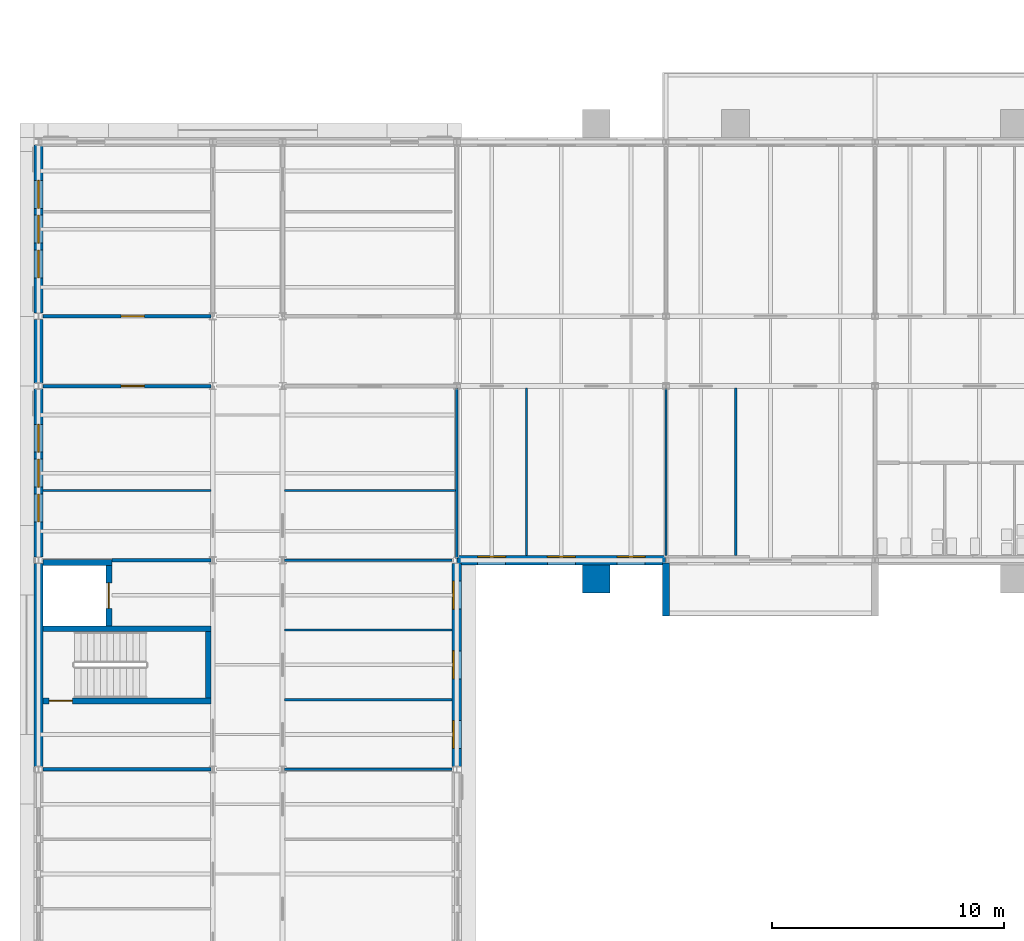
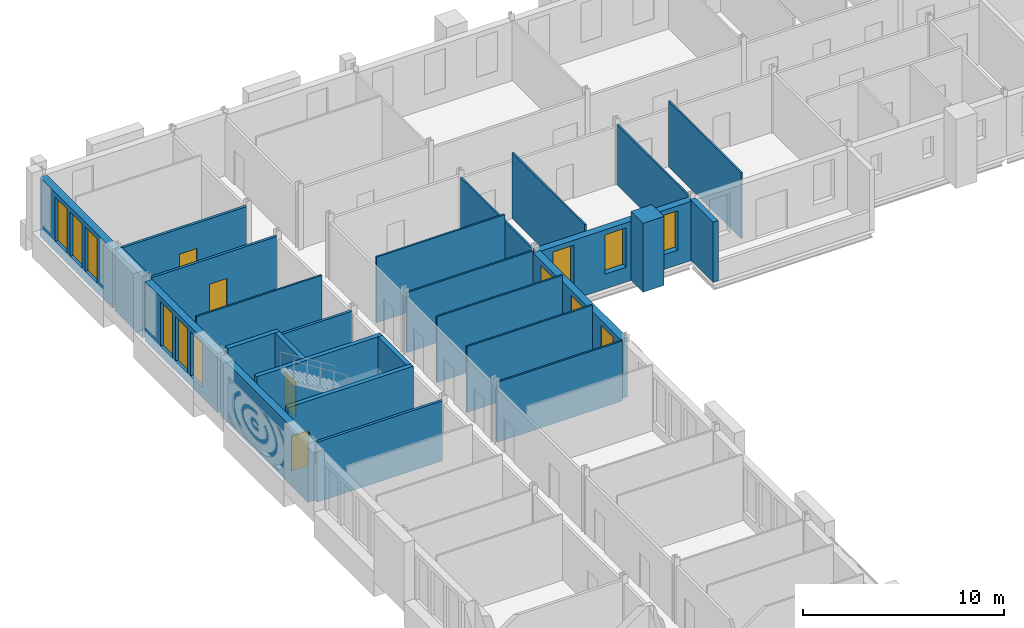
# One storey, part 110 of 154: 27 walls, 12 windows, 4 doors, 16 openings.
"""IFC4 building model written with IfcOpenShell, lengths in metres."""

from ifc_helpers import new_model, si_unit, direction, frame, frame_2d, origin, place, context, subcontext, project, spatial, rectangle, extrude, material, layer, layer_set, type_object, element, fill, save


model = new_model("IFC4")

# Units and contexts
model_context = context("Model", 3, precision=1e-05, world=origin(), true_north=direction((0.0, 1.0)))
body_context = subcontext(model_context, "Body", "Model", "MODEL_VIEW")
ifc_project = project(units=[si_unit("LENGTHUNIT", "METRE"), si_unit("AREAUNIT", "SQUARE_METRE"), si_unit("VOLUMEUNIT", "CUBIC_METRE"), si_unit("PLANEANGLEUNIT", "RADIAN"), si_unit("MASSUNIT", "GRAM", prefix="KILO")], contexts=[model_context])

# Site, building, storey
site_placement = place(None, origin())
site = spatial("IfcSite", under=ifc_project, at=site_placement, CompositionType="ELEMENT")
building_placement = place(site_placement, origin())
building = spatial("IfcBuilding", under=site, at=building_placement, Name="Golden Quay Civic Hall", CompositionType="ELEMENT")
storey_placement = place(building_placement, frame((0.0, 0.0, 14.39990234375)))
storey = spatial("IfcBuildingStorey", under=building, at=storey_placement, Name="L03", CompositionType="ELEMENT", Elevation=14.39990234375)

# Wall, openings, windows
ifc_material_1 = material(Name="Brick, dark clay facing", Category="masonry")
ifc_layer_1 = layer(ifc_material_1, 0.39990234375)
ifc_layer_set_1 = layer_set([ifc_layer_1], Name="Brick external wall 400")
wall_type_1 = type_object("IfcWallType", Name="Brick external wall 400", PredefinedType="STANDARD", material=ifc_layer_set_1)
wall_1_placement = place(storey_placement, frame((18.0, 62.864990234375, 0.0), z_axis=(0.0, 0.0, 1.0), x_axis=(0.0, -1.0, 0.0)))
wall_1 = element("IfcWall", 1, at=wall_1_placement, inside=storey, type_object=wall_type_1, Name="Brick external wall 400 L03 1", PredefinedType="STANDARD", context=body_context, shape_type="SweptSolid", body=[
    extrude(rectangle(XDim=8.72998046875, YDim=0.39990234375, at=frame_2d((4.364990234375, 0.0))), origin(), (0.0, 0.0, 1.0), 3.60009765625),
])
opening_1_placement = place(wall_1_placement, frame((6.764892578125, 0.0, 0.89990234375)))
opening_1 = element("IfcOpeningElement", 2, at=opening_1_placement, cuts=wall_1, Name="Opening WN7", PredefinedType="OPENING", context=body_context, shape_type="SweptSolid", body=[
    extrude(rectangle(XDim=1.199951171875, YDim=2.39990234375, at=frame_2d((0.60009765625, 1.199951171875))), frame((0.0, 0.2099609375, 0.0), z_axis=(0.0, -1.0, 0.0), x_axis=(1.0, 0.0, 0.0)), (0.0, 0.0, 1.0), 0.419921875),
])
opening_2_placement = place(wall_1_placement, frame((3.764892578125, 0.0, 0.89990234375)))
opening_2 = element("IfcOpeningElement", 3, at=opening_2_placement, cuts=wall_1, Name="Opening WN7", PredefinedType="OPENING", context=body_context, shape_type="SweptSolid", body=[
    extrude(rectangle(XDim=1.199951171875, YDim=2.39990234375, at=frame_2d((0.60009765625, 1.199951171875))), frame((0.0, 0.2099609375, 0.0), z_axis=(0.0, -1.0, 0.0), x_axis=(1.0, 0.0, 0.0)), (0.0, 0.0, 1.0), 0.419921875),
])
opening_3_placement = place(wall_1_placement, frame((0.764892578125, 0.0, 0.89990234375)))
opening_3 = element("IfcOpeningElement", 4, at=opening_3_placement, cuts=wall_1, Name="Opening WN7", PredefinedType="OPENING", context=body_context, shape_type="SweptSolid", body=[
    extrude(rectangle(XDim=1.199951171875, YDim=2.39990234375, at=frame_2d((0.60009765625, 1.199951171875))), frame((0.0, 0.2099609375, 0.0), z_axis=(0.0, -1.0, 0.0), x_axis=(1.0, 0.0, 0.0)), (0.0, 0.0, 1.0), 0.419921875),
])
ifc_material_2 = material(Name="Aluminium frame, double glazed", Category="aluminium")
window_type_1 = type_object("IfcWindowType", Name="Window 1200 x 2400", PartitioningType="SINGLE_PANEL", PredefinedType="WINDOW", material=ifc_material_2)
window_1_placement = place(opening_1_placement, origin())
window_1 = element("IfcWindow", 5, at=window_1_placement, inside=storey, type_object=window_type_1, Name="Window 1200 x 2400 L03 1", OverallHeight=2.39990234375, OverallWidth=1.199951171875, PartitioningType="SINGLE_PANEL", PredefinedType="WINDOW", context=body_context, shape_type="SweptSolid", body=[
    extrude(rectangle(XDim=1.199951171875, YDim=2.39990234375, at=frame_2d((0.60009765625, 1.199951171875))), frame((0.0, -0.119873046875, 0.0), z_axis=(0.0, -1.0, 0.0), x_axis=(1.0, 0.0, 0.0)), (0.0, 0.0, 1.0), 0.06005859375),
])
fill(opening_1, window_1)
window_2_placement = place(opening_2_placement, origin())
window_2 = element("IfcWindow", 6, at=window_2_placement, inside=storey, type_object=window_type_1, Name="Window 1200 x 2400 L03 2", OverallHeight=2.39990234375, OverallWidth=1.199951171875, PartitioningType="SINGLE_PANEL", PredefinedType="WINDOW", context=body_context, shape_type="SweptSolid", body=[
    extrude(rectangle(XDim=1.199951171875, YDim=2.39990234375, at=frame_2d((0.60009765625, 1.199951171875))), frame((0.0, -0.119873046875, 0.0), z_axis=(0.0, -1.0, 0.0), x_axis=(1.0, 0.0, 0.0)), (0.0, 0.0, 1.0), 0.06005859375),
])
fill(opening_2, window_2)
window_3_placement = place(opening_3_placement, origin())
window_3 = element("IfcWindow", 7, at=window_3_placement, inside=storey, type_object=window_type_1, Name="Window 1200 x 2400 L03 3", OverallHeight=2.39990234375, OverallWidth=1.199951171875, PartitioningType="SINGLE_PANEL", PredefinedType="WINDOW", context=body_context, shape_type="SweptSolid", body=[
    extrude(rectangle(XDim=1.199951171875, YDim=2.39990234375, at=frame_2d((0.60009765625, 1.199951171875))), frame((0.0, -0.119873046875, 0.0), z_axis=(0.0, -1.0, 0.0), x_axis=(1.0, 0.0, 0.0)), (0.0, 0.0, 1.0), 0.06005859375),
])
fill(opening_3, window_3)

wall_2_placement = place(storey_placement, frame((26.9912109375, 63.0, 0.0), z_axis=(0.0, 0.0, 1.0), x_axis=(-1.0, 0.0, 0.0)))
wall_2 = element("IfcWall", 8, at=wall_2_placement, inside=storey, type_object=wall_type_1, Name="Brick external wall 400 L03 8", PredefinedType="STANDARD", context=body_context, shape_type="SweptSolid", body=[
    extrude(rectangle(XDim=8.982177734375, YDim=0.39990234375, at=frame_2d((4.4912109375, 0.0))), origin(), (0.0, 0.0, 1.0), 3.60009765625),
])
opening_4_placement = place(wall_2_placement, frame((6.891357421875, 0.0, 0.89990234375)))
opening_4 = element("IfcOpeningElement", 9, at=opening_4_placement, cuts=wall_2, Name="Opening WN7", PredefinedType="OPENING", context=body_context, shape_type="SweptSolid", body=[
    extrude(rectangle(XDim=1.199951171875, YDim=2.39990234375, at=frame_2d((0.60009765625, 1.199951171875))), frame((0.0, 0.2099609375, 0.0), z_axis=(0.0, -1.0, 0.0), x_axis=(1.0, 0.0, 0.0)), (0.0, 0.0, 1.0), 0.419921875),
])
opening_5_placement = place(wall_2_placement, frame((3.891357421875, 0.0, 0.89990234375)))
opening_5 = element("IfcOpeningElement", 10, at=opening_5_placement, cuts=wall_2, Name="Opening WN7", PredefinedType="OPENING", context=body_context, shape_type="SweptSolid", body=[
    extrude(rectangle(XDim=1.199951171875, YDim=2.39990234375, at=frame_2d((0.60009765625, 1.199951171875))), frame((0.0, 0.2099609375, 0.0), z_axis=(0.0, -1.0, 0.0), x_axis=(1.0, 0.0, 0.0)), (0.0, 0.0, 1.0), 0.419921875),
])
opening_6_placement = place(wall_2_placement, frame((0.891357421875, 0.0, 0.89990234375)))
opening_6 = element("IfcOpeningElement", 11, at=opening_6_placement, cuts=wall_2, Name="Opening WN7", PredefinedType="OPENING", context=body_context, shape_type="SweptSolid", body=[
    extrude(rectangle(XDim=1.199951171875, YDim=2.39990234375, at=frame_2d((0.60009765625, 1.199951171875))), frame((0.0, 0.2099609375, 0.0), z_axis=(0.0, -1.0, 0.0), x_axis=(1.0, 0.0, 0.0)), (0.0, 0.0, 1.0), 0.419921875),
])
window_4_placement = place(opening_4_placement, origin())
window_4 = element("IfcWindow", 12, at=window_4_placement, inside=storey, type_object=window_type_1, Name="Window 1200 x 2400 L03 18", OverallHeight=2.39990234375, OverallWidth=1.199951171875, PartitioningType="SINGLE_PANEL", PredefinedType="WINDOW", context=body_context, shape_type="SweptSolid", body=[
    extrude(rectangle(XDim=1.199951171875, YDim=2.39990234375, at=frame_2d((0.60009765625, 1.199951171875))), frame((0.0, -0.119873046875, 0.0), z_axis=(0.0, -1.0, 0.0), x_axis=(1.0, 0.0, 0.0)), (0.0, 0.0, 1.0), 0.06005859375),
])
fill(opening_4, window_4)
window_5_placement = place(opening_5_placement, origin())
window_5 = element("IfcWindow", 13, at=window_5_placement, inside=storey, type_object=window_type_1, Name="Window 1200 x 2400 L03 19", OverallHeight=2.39990234375, OverallWidth=1.199951171875, PartitioningType="SINGLE_PANEL", PredefinedType="WINDOW", context=body_context, shape_type="SweptSolid", body=[
    extrude(rectangle(XDim=1.199951171875, YDim=2.39990234375, at=frame_2d((0.60009765625, 1.199951171875))), frame((0.0, -0.119873046875, 0.0), z_axis=(0.0, -1.0, 0.0), x_axis=(1.0, 0.0, 0.0)), (0.0, 0.0, 1.0), 0.06005859375),
])
fill(opening_5, window_5)
window_6_placement = place(opening_6_placement, origin())
window_6 = element("IfcWindow", 14, at=window_6_placement, inside=storey, type_object=window_type_1, Name="Window 1200 x 2400 L03 20", OverallHeight=2.39990234375, OverallWidth=1.199951171875, PartitioningType="SINGLE_PANEL", PredefinedType="WINDOW", context=body_context, shape_type="SweptSolid", body=[
    extrude(rectangle(XDim=1.199951171875, YDim=2.39990234375, at=frame_2d((0.60009765625, 1.199951171875))), frame((0.0, -0.119873046875, 0.0), z_axis=(0.0, -1.0, 0.0), x_axis=(1.0, 0.0, 0.0)), (0.0, 0.0, 1.0), 0.06005859375),
])
fill(opening_6, window_6)

# Walls
ifc_material_3 = material(Name="Brick, dark clay facing", Category="masonry")
ifc_layer_2 = layer(ifc_material_3, 0.300048828125)
ifc_layer_set_2 = layer_set([ifc_layer_2], Name="Brick loggia wall 300")
wall_type_2 = type_object("IfcWallType", Name="Brick loggia wall 300", PredefinedType="STANDARD", material=ifc_layer_set_2)
wall_3_placement = place(storey_placement, frame((27.0, 62.885009765625, 0.0), z_axis=(0.0, 0.0, 1.0), x_axis=(0.0, -1.0, 0.0)))
element("IfcWall", 15, at=wall_3_placement, inside=storey, type_object=wall_type_2, Name="Brick loggia wall 300 L03 1", PredefinedType="STANDARD", context=body_context, shape_type="SweptSolid", body=[
    extrude(rectangle(XDim=2.284912109375, YDim=0.300048828125, at=frame_2d((1.142578125, 0.0))), origin(), (0.0, 0.0, 1.0), 3.670166015625),
])
ifc_material_4 = material(Name="Brick, dark clay facing", Category="masonry")
ifc_layer_3 = layer(ifc_material_4, 1.199951171875)
ifc_layer_set_3 = layer_set([ifc_layer_3], Name="Brick pilaster 1200 x 1200")
wall_type_3 = type_object("IfcWallType", Name="Brick pilaster 1200 x 1200", PredefinedType="STANDARD", material=ifc_layer_set_3)
wall_4_placement = place(storey_placement, frame((23.39990234375, 62.199951171875, 0.0), z_axis=(0.0, 0.0, 1.0), x_axis=(1.0, 0.0, 0.0)))
element("IfcWall", 16, at=wall_4_placement, inside=storey, type_object=wall_type_3, Name="Brick pilaster 1200 x 1200 L03 6", PredefinedType="STANDARD", context=body_context, shape_type="SweptSolid", body=[
    extrude(rectangle(XDim=1.2001953125, YDim=1.199951171875, at=frame_2d((0.60009765625, 0.0))), origin(), (0.0, 0.0, 1.0), 4.2001953125),
])

# Wall, opening, door
ifc_material_5 = material(Name="Concrete C40/50", Category="concrete")
ifc_layer_4 = layer(ifc_material_5, 0.25)
ifc_layer_set_4 = layer_set([ifc_layer_4], Name="Concrete core wall 250, Concrete C40/50")
wall_type_4 = type_object("IfcWallType", Name="Concrete core wall 250", PredefinedType="SHEAR", material=ifc_layer_set_4)
wall_5_placement = place(storey_placement, frame((0.199951171875, 56.949951171875, 0.0), z_axis=(0.0, 0.0, 1.0), x_axis=(1.0, 0.0, 0.0)))
wall_5 = element("IfcWall", 17, at=wall_5_placement, inside=storey, type_object=wall_type_4, Name="Core wall WO-N-W1", PredefinedType="SHEAR", context=body_context, shape_type="SweptSolid", body=[
    extrude(rectangle(XDim=7.22509765625, YDim=0.25, at=frame_2d((3.612548828125, 0.0))), origin(), (0.0, 0.0, 1.0), 4.0),
])
opening_7_placement = place(wall_5_placement, frame((0.25, 0.0, 0.0)))
opening_7 = element("IfcOpeningElement", 18, at=opening_7_placement, cuts=wall_5, Name="Opening L03-D039", PredefinedType="OPENING", context=body_context, shape_type="SweptSolid", body=[
    extrude(rectangle(XDim=1.0, YDim=2.10009765625, at=frame_2d((0.5, 1.050048828125))), frame((0.0, 0.135009765625, 0.0), z_axis=(0.0, -1.0, 0.0), x_axis=(1.0, 0.0, 0.0)), (0.0, 0.0, 1.0), 0.27001953125),
])
ifc_material_6 = material(Name="Steel", Category="steel")
door_type_1 = type_object("IfcDoorType", Name="Steel fire door FD60 1000 x 2100", OperationType="SINGLE_SWING_LEFT", PredefinedType="DOOR", material=ifc_material_6)
door_1_placement = place(opening_7_placement, origin())
door_1 = element("IfcDoor", 19, at=door_1_placement, inside=storey, type_object=door_type_1, Name="Door L03-D039", OperationType="SINGLE_SWING_LEFT", OverallHeight=2.10009765625, OverallWidth=1.0, PredefinedType="DOOR", context=body_context, shape_type="SweptSolid", body=[
    extrude(rectangle(XDim=1.0, YDim=2.10009765625, at=frame_2d((0.5, 1.050048828125))), frame((0.0, 0.02490234375, 0.0), z_axis=(0.0, -1.0, 0.0), x_axis=(1.0, 0.0, 0.0)), (0.0, 0.0, 1.0), 0.050048828125),
])
fill(opening_7, door_1)

# Walls
wall_6_placement = place(storey_placement, frame((0.199951171875, 60.050048828125, 0.0), z_axis=(0.0, 0.0, 1.0), x_axis=(1.0, 0.0, 0.0)))
element("IfcWall", 20, at=wall_6_placement, inside=storey, type_object=wall_type_4, Name="Core wall WO-N-W2", PredefinedType="SHEAR", context=body_context, shape_type="SweptSolid", body=[
    extrude(rectangle(XDim=7.22509765625, YDim=0.25, at=frame_2d((3.612548828125, 0.0))), origin(), (0.0, 0.0, 1.0), 4.0),
])
wall_7_placement = place(storey_placement, frame((7.300048828125, 57.074951171875, 0.0), z_axis=(0.0, 0.0, 1.0), x_axis=(0.0, 1.0, 0.0)))
element("IfcWall", 21, at=wall_7_placement, inside=storey, type_object=wall_type_4, Name="Core wall WO-N-W3", PredefinedType="SHEAR", context=body_context, shape_type="SweptSolid", body=[
    extrude(rectangle(XDim=2.85009765625, YDim=0.25, at=frame_2d((1.425048828125, 0.0))), origin(), (0.0, 0.0, 1.0), 4.0),
])

# Wall, opening, door
wall_8_placement = place(storey_placement, frame((3.02490234375, 60.175048828125, 0.0), z_axis=(0.0, 0.0, 1.0), x_axis=(0.0, 1.0, 0.0)))
wall_8 = element("IfcWall", 22, at=wall_8_placement, inside=storey, type_object=wall_type_4, Name="Core wall WO-N-W4", PredefinedType="SHEAR", context=body_context, shape_type="SweptSolid", body=[
    extrude(rectangle(XDim=2.599853515625, YDim=0.25, at=frame_2d((1.2998046875, 0.0))), origin(), (0.0, 0.0, 1.0), 4.0),
])
opening_8_placement = place(wall_8_placement, frame((0.75, 0.0, 0.0)))
opening_8 = element("IfcOpeningElement", 23, at=opening_8_placement, cuts=wall_8, Name="Opening L03-D054", PredefinedType="OPENING", context=body_context, shape_type="SweptSolid", body=[
    extrude(rectangle(XDim=1.10009765625, YDim=2.10009765625, at=frame_2d((0.550048828125, 1.050048828125))), frame((0.0, 0.135009765625, 0.0), z_axis=(0.0, -1.0, 0.0), x_axis=(1.0, 0.0, 0.0)), (0.0, 0.0, 1.0), 0.27001953125),
])
ifc_material_7 = material(Name="Steel", Category="steel")
door_type_2 = type_object("IfcDoorType", Name="Lift landing door 1100 x 2100", OperationType="SLIDING_TO_LEFT", PredefinedType="DOOR", material=ifc_material_7)
door_2_placement = place(opening_8_placement, origin())
door_2 = element("IfcDoor", 24, at=door_2_placement, inside=storey, type_object=door_type_2, Name="Lift landing door L03-D054 WO-N", OperationType="SLIDING_TO_LEFT", OverallHeight=2.10009765625, OverallWidth=1.10009765625, PredefinedType="DOOR", context=body_context, shape_type="SweptSolid", body=[
    extrude(rectangle(XDim=1.10009765625, YDim=2.10009765625, at=frame_2d((0.550048828125, 1.050048828125))), frame((0.0, 0.02490234375, 0.0), z_axis=(0.0, -1.0, 0.0), x_axis=(1.0, 0.0, 0.0)), (0.0, 0.0, 1.0), 0.050048828125),
])
fill(opening_8, door_2)

# Walls
wall_9_placement = place(storey_placement, frame((0.199951171875, 62.89990234375, 0.0), z_axis=(0.0, 0.0, 1.0), x_axis=(1.0, 0.0, 0.0)))
element("IfcWall", 25, at=wall_9_placement, inside=storey, type_object=wall_type_4, Name="Core wall WO-N-W5", PredefinedType="SHEAR", context=body_context, shape_type="SweptSolid", body=[
    extrude(rectangle(XDim=2.949951171875, YDim=0.25, at=frame_2d((1.47509765625, 0.0))), origin(), (0.0, 0.0, 1.0), 4.0),
])
ifc_material_8 = material(Name="Plasterboard on steel studs", Category="steel")
ifc_layer_5 = layer(ifc_material_8, 0.10009765625)
ifc_layer_set_5 = layer_set([ifc_layer_5], Name="Partition 100 stud")
wall_type_5 = type_object("IfcWallType", Name="Partition 100 stud", PredefinedType="PARTITIONING", material=ifc_layer_set_5)
wall_10_placement = place(storey_placement, frame((10.574951171875, 54.0, 0.0), z_axis=(0.0, 0.0, 1.0), x_axis=(1.0, 0.0, 0.0)))
element("IfcWall", 26, at=wall_10_placement, inside=storey, type_object=wall_type_5, Name="Partition L03-025", PredefinedType="PARTITIONING", context=body_context, shape_type="SweptSolid", body=[
    extrude(rectangle(XDim=7.22509765625, YDim=0.10009765625, at=frame_2d((3.612548828125, 0.0))), origin(), (0.0, 0.0, 1.0), 3.650146484375),
])
for number, where, z_axis, x_axis, name in (
    (27, (10.574951171875, 57.0, 0.0), (0.0, 0.0, 1.0), (1.0, 0.0, 0.0), "Partition L03-026"),
    (28, (10.574951171875, 60.0, 0.0), (0.0, 0.0, 1.0), (1.0, 0.0, 0.0), "Partition L03-027"),
):
    element("IfcWall", number, at=place(storey_placement, frame(where, z_axis=z_axis, x_axis=x_axis)), inside=storey, type_object=wall_type_5, Name=name, PredefinedType="PARTITIONING", context=body_context, shape_type="SweptSolid", body=[
        extrude(rectangle(XDim=7.22509765625, YDim=0.10009765625, at=frame_2d((3.612548828125, 0.0))), origin(), (0.0, 0.0, 1.0), 4.0),
    ])
wall_11_placement = place(storey_placement, frame((10.574951171875, 63.0, 0.0), z_axis=(0.0, 0.0, 1.0), x_axis=(1.0, 0.0, 0.0)))
element("IfcWall", 29, at=wall_11_placement, inside=storey, type_object=wall_type_5, Name="Partition L03-028", PredefinedType="PARTITIONING", context=body_context, shape_type="SweptSolid", body=[
    extrude(rectangle(XDim=7.22509765625, YDim=0.10009765625, at=frame_2d((3.612548828125, 0.0))), origin(), (0.0, 0.0, 1.0), 3.650146484375),
])
wall_12_placement = place(storey_placement, frame((0.199951171875, 66.0, 0.0), z_axis=(0.0, 0.0, 1.0), x_axis=(1.0, 0.0, 0.0)))
element("IfcWall", 30, at=wall_12_placement, inside=storey, type_object=wall_type_5, Name="Partition L03-042", PredefinedType="PARTITIONING", context=body_context, shape_type="SweptSolid", body=[
    extrude(rectangle(XDim=7.22509765625, YDim=0.10009765625, at=frame_2d((3.612548828125, 0.0))), origin(), (0.0, 0.0, 1.0), 4.0),
])
wall_13_placement = place(storey_placement, frame((10.574951171875, 66.0, 0.0), z_axis=(0.0, 0.0, 1.0), x_axis=(1.0, 0.0, 0.0)))
element("IfcWall", 31, at=wall_13_placement, inside=storey, type_object=wall_type_5, Name="Partition L03-043", PredefinedType="PARTITIONING", context=body_context, shape_type="SweptSolid", body=[
    extrude(rectangle(XDim=7.375, YDim=0.10009765625, at=frame_2d((3.6875, 0.0))), origin(), (0.0, 0.0, 1.0), 4.0),
])
wall_14_placement = place(storey_placement, frame((18.0, 63.074951171875, 0.0), z_axis=(0.0, 0.0, 1.0), x_axis=(0.0, 1.0, 0.0)))
element("IfcWall", 32, at=wall_14_placement, inside=storey, type_object=wall_type_5, Name="Partition L03-046", PredefinedType="PARTITIONING", context=body_context, shape_type="SweptSolid", body=[
    extrude(rectangle(XDim=7.35009765625, YDim=0.10009765625, at=frame_2d((3.675048828125, 0.0))), origin(), (0.0, 0.0, 1.0), 3.580078125),
])
wall_15_placement = place(storey_placement, frame((21.0, 63.199951171875, 0.0), z_axis=(0.0, 0.0, 1.0), x_axis=(0.0, 1.0, 0.0)))
element("IfcWall", 33, at=wall_15_placement, inside=storey, type_object=wall_type_5, Name="Partition L03-000", PredefinedType="PARTITIONING", context=body_context, shape_type="SweptSolid", body=[
    extrude(rectangle(XDim=7.22509765625, YDim=0.10009765625, at=frame_2d((3.612548828125, 0.0))), origin(), (0.0, 0.0, 1.0), 4.0),
])
wall_16_placement = place(storey_placement, frame((27.0, 63.199951171875, 0.0), z_axis=(0.0, 0.0, 1.0), x_axis=(0.0, 1.0, 0.0)))
element("IfcWall", 34, at=wall_16_placement, inside=storey, type_object=wall_type_5, Name="Partition L03-001", PredefinedType="PARTITIONING", context=body_context, shape_type="SweptSolid", body=[
    extrude(rectangle(XDim=7.22509765625, YDim=0.10009765625, at=frame_2d((3.612548828125, 0.0))), origin(), (0.0, 0.0, 1.0), 3.650146484375),
])
wall_17_placement = place(storey_placement, frame((30.0, 63.199951171875, 0.0), z_axis=(0.0, 0.0, 1.0), x_axis=(0.0, 1.0, 0.0)))
element("IfcWall", 35, at=wall_17_placement, inside=storey, type_object=wall_type_5, Name="Partition L03-002", PredefinedType="PARTITIONING", context=body_context, shape_type="SweptSolid", body=[
    extrude(rectangle(XDim=7.22509765625, YDim=0.10009765625, at=frame_2d((3.612548828125, 0.0))), origin(), (0.0, 0.0, 1.0), 4.0),
])
ifc_material_9 = material(Name="Plasterboard on steel studs", Category="steel")
ifc_layer_6 = layer(ifc_material_9, 0.14990234375)
ifc_layer_set_6 = layer_set([ifc_layer_6], Name="Partition 150 stud fire EI 60")
wall_type_6 = type_object("IfcWallType", Name="Partition 150 stud fire EI 60", PredefinedType="PARTITIONING", material=ifc_layer_set_6)
wall_18_placement = place(storey_placement, frame((0.199951171875, 54.0, 0.0), z_axis=(0.0, 0.0, 1.0), x_axis=(1.0, 0.0, 0.0)))
element("IfcWall", 36, at=wall_18_placement, inside=storey, type_object=wall_type_6, Name="Partition L03-011", PredefinedType="PARTITIONING", context=body_context, shape_type="SweptSolid", body=[
    extrude(rectangle(XDim=7.22509765625, YDim=0.14990234375, at=frame_2d((3.612548828125, 0.0))), origin(), (0.0, 0.0, 1.0), 3.650146484375),
])
wall_19_placement = place(storey_placement, frame((3.14990234375, 63.0, 0.0), z_axis=(0.0, 0.0, 1.0), x_axis=(1.0, 0.0, 0.0)))
element("IfcWall", 37, at=wall_19_placement, inside=storey, type_object=wall_type_6, Name="Partition L03-034", PredefinedType="PARTITIONING", context=body_context, shape_type="SweptSolid", body=[
    extrude(rectangle(XDim=4.275146484375, YDim=0.14990234375, at=frame_2d((2.1376953125, 0.0))), origin(), (0.0, 0.0, 1.0), 3.650146484375),
])

# Wall, opening, door
wall_20_placement = place(storey_placement, frame((0.199951171875, 70.5, 0.0), z_axis=(0.0, 0.0, 1.0), x_axis=(1.0, 0.0, 0.0)))
wall_20 = element("IfcWall", 38, at=wall_20_placement, inside=storey, type_object=wall_type_6, Name="Partition L03-035", PredefinedType="PARTITIONING", context=body_context, shape_type="SweptSolid", body=[
    extrude(rectangle(XDim=7.22509765625, YDim=0.14990234375, at=frame_2d((3.612548828125, 0.0))), origin(), (0.0, 0.0, 1.0), 3.650146484375),
])
opening_9_placement = place(wall_20_placement, frame((3.35009765625, 0.0, 0.0)))
opening_9 = element("IfcOpeningElement", 39, at=opening_9_placement, cuts=wall_20, Name="Opening L03-D046", PredefinedType="OPENING", context=body_context, shape_type="SweptSolid", body=[
    extrude(rectangle(XDim=1.0, YDim=2.10009765625, at=frame_2d((0.5, 1.050048828125))), frame((0.0, 0.0849609375, 0.0), z_axis=(0.0, -1.0, 0.0), x_axis=(1.0, 0.0, 0.0)), (0.0, 0.0, 1.0), 0.169921875),
])
ifc_material_10 = material(Name="Steel", Category="steel")
door_type_3 = type_object("IfcDoorType", Name="Steel fire door FD30S 1000 x 2100", OperationType="SINGLE_SWING_LEFT", PredefinedType="DOOR", material=ifc_material_10)
door_3_placement = place(opening_9_placement, frame((1.0, 0.0, 0.0), z_axis=(0.0, 0.0, 1.0), x_axis=(-1.0, 0.0, 0.0)))
door_3 = element("IfcDoor", 40, at=door_3_placement, inside=storey, type_object=door_type_3, Name="Door L03-D046", OperationType="SINGLE_SWING_RIGHT", OverallHeight=2.10009765625, OverallWidth=1.0, PredefinedType="DOOR", context=body_context, shape_type="SweptSolid", body=[
    extrude(rectangle(XDim=1.0, YDim=2.10009765625, at=frame_2d((0.5, 1.050048828125))), frame((0.0, 0.025146484375, 0.0), z_axis=(0.0, -1.0, 0.0), x_axis=(1.0, 0.0, 0.0)), (0.0, 0.0, 1.0), 0.050048828125),
])
fill(opening_9, door_3)

wall_21_placement = place(storey_placement, frame((0.199951171875, 73.5, 0.0), z_axis=(0.0, 0.0, 1.0), x_axis=(1.0, 0.0, 0.0)))
wall_21 = element("IfcWall", 41, at=wall_21_placement, inside=storey, type_object=wall_type_6, Name="Partition L03-036", PredefinedType="PARTITIONING", context=body_context, shape_type="SweptSolid", body=[
    extrude(rectangle(XDim=7.22509765625, YDim=0.14990234375, at=frame_2d((3.612548828125, 0.0))), origin(), (0.0, 0.0, 1.0), 3.650146484375),
])
opening_10_placement = place(wall_21_placement, frame((3.35009765625, 0.0, 0.0)))
opening_10 = element("IfcOpeningElement", 42, at=opening_10_placement, cuts=wall_21, Name="Opening L03-D049", PredefinedType="OPENING", context=body_context, shape_type="SweptSolid", body=[
    extrude(rectangle(XDim=1.0, YDim=2.10009765625, at=frame_2d((0.5, 1.050048828125))), frame((0.0, 0.0849609375, 0.0), z_axis=(0.0, -1.0, 0.0), x_axis=(1.0, 0.0, 0.0)), (0.0, 0.0, 1.0), 0.169921875),
])
door_4_placement = place(opening_10_placement, origin())
door_4 = element("IfcDoor", 43, at=door_4_placement, inside=storey, type_object=door_type_3, Name="Door L03-D049", OperationType="SINGLE_SWING_LEFT", OverallHeight=2.10009765625, OverallWidth=1.0, PredefinedType="DOOR", context=body_context, shape_type="SweptSolid", body=[
    extrude(rectangle(XDim=1.0, YDim=2.10009765625, at=frame_2d((0.5, 1.050048828125))), frame((0.0, 0.02490234375, 0.0), z_axis=(0.0, -1.0, 0.0), x_axis=(1.0, 0.0, 0.0)), (0.0, 0.0, 1.0), 0.050048828125),
])
fill(opening_10, door_4)

# Wall, openings, windows
ifc_material_11 = material(Name="Clay block, rendered, cream")
ifc_layer_7 = layer(ifc_material_11, 0.39990234375)
ifc_layer_set_7 = layer_set([ifc_layer_7], Name="Rendered block external wall 400")
wall_type_7 = type_object("IfcWallType", Name="Rendered block external wall 400", PredefinedType="STANDARD", material=ifc_layer_set_7)
wall_22_placement = place(storey_placement, frame((0.0, 63.135009765625, 0.0), z_axis=(0.0, 0.0, 1.0), x_axis=(0.0, 1.0, 0.0)))
wall_22 = element("IfcWall", 44, at=wall_22_placement, inside=storey, type_object=wall_type_7, Name="Rendered block external wall 400 L03 6", PredefinedType="STANDARD", context=body_context, shape_type="SweptSolid", body=[
    extrude(rectangle(XDim=7.22998046875, YDim=0.39990234375, at=frame_2d((3.614990234375, 0.0))), origin(), (0.0, 0.0, 1.0), 3.60009765625),
])
opening_11_placement = place(wall_22_placement, frame((1.514892578125, 0.0, 0.60009765625)))
opening_11 = element("IfcOpeningElement", 45, at=opening_11_placement, cuts=wall_22, Name="Opening WN8", PredefinedType="OPENING", context=body_context, shape_type="SweptSolid", body=[
    extrude(rectangle(XDim=1.199951171875, YDim=2.699951171875, at=frame_2d((0.60009765625, 1.35009765625))), frame((0.0, 0.2099609375, 0.0), z_axis=(0.0, -1.0, 0.0), x_axis=(1.0, 0.0, 0.0)), (0.0, 0.0, 1.0), 0.419921875),
])
opening_12_placement = place(wall_22_placement, frame((3.014892578125, 0.0, 0.60009765625)))
opening_12 = element("IfcOpeningElement", 46, at=opening_12_placement, cuts=wall_22, Name="Opening WN8", PredefinedType="OPENING", context=body_context, shape_type="SweptSolid", body=[
    extrude(rectangle(XDim=1.199951171875, YDim=2.699951171875, at=frame_2d((0.60009765625, 1.35009765625))), frame((0.0, 0.2099609375, 0.0), z_axis=(0.0, -1.0, 0.0), x_axis=(1.0, 0.0, 0.0)), (0.0, 0.0, 1.0), 0.419921875),
])
opening_13_placement = place(wall_22_placement, frame((4.514892578125, 0.0, 0.60009765625)))
opening_13 = element("IfcOpeningElement", 47, at=opening_13_placement, cuts=wall_22, Name="Opening WN8", PredefinedType="OPENING", context=body_context, shape_type="SweptSolid", body=[
    extrude(rectangle(XDim=1.199951171875, YDim=2.699951171875, at=frame_2d((0.60009765625, 1.35009765625))), frame((0.0, 0.2099609375, 0.0), z_axis=(0.0, -1.0, 0.0), x_axis=(1.0, 0.0, 0.0)), (0.0, 0.0, 1.0), 0.419921875),
])
ifc_material_12 = material(Name="Aluminium frame, double glazed", Category="aluminium")
window_type_2 = type_object("IfcWindowType", Name="Golden grid window 1200 x 2700", PartitioningType="SINGLE_PANEL", PredefinedType="WINDOW", material=ifc_material_12)
window_7_placement = place(opening_11_placement, origin())
window_7 = element("IfcWindow", 48, at=window_7_placement, inside=storey, type_object=window_type_2, Name="Golden grid window 1200 x 2700 L03 17", OverallHeight=2.699951171875, OverallWidth=1.199951171875, PartitioningType="SINGLE_PANEL", PredefinedType="WINDOW", context=body_context, shape_type="SweptSolid", body=[
    extrude(rectangle(XDim=1.199951171875, YDim=2.699951171875, at=frame_2d((0.60009765625, 1.35009765625))), frame((0.0, 0.030029296875, 0.0), z_axis=(0.0, -1.0, 0.0), x_axis=(1.0, 0.0, 0.0)), (0.0, 0.0, 1.0), 0.06005859375),
])
fill(opening_11, window_7)
window_8_placement = place(opening_12_placement, origin())
window_8 = element("IfcWindow", 49, at=window_8_placement, inside=storey, type_object=window_type_2, Name="Golden grid window 1200 x 2700 L03 18", OverallHeight=2.699951171875, OverallWidth=1.199951171875, PartitioningType="SINGLE_PANEL", PredefinedType="WINDOW", context=body_context, shape_type="SweptSolid", body=[
    extrude(rectangle(XDim=1.199951171875, YDim=2.699951171875, at=frame_2d((0.60009765625, 1.35009765625))), frame((0.0, 0.030029296875, 0.0), z_axis=(0.0, -1.0, 0.0), x_axis=(1.0, 0.0, 0.0)), (0.0, 0.0, 1.0), 0.06005859375),
])
fill(opening_12, window_8)
window_9_placement = place(opening_13_placement, origin())
window_9 = element("IfcWindow", 50, at=window_9_placement, inside=storey, type_object=window_type_2, Name="Golden grid window 1200 x 2700 L03 19", OverallHeight=2.699951171875, OverallWidth=1.199951171875, PartitioningType="SINGLE_PANEL", PredefinedType="WINDOW", context=body_context, shape_type="SweptSolid", body=[
    extrude(rectangle(XDim=1.199951171875, YDim=2.699951171875, at=frame_2d((0.60009765625, 1.35009765625))), frame((0.0, 0.030029296875, 0.0), z_axis=(0.0, -1.0, 0.0), x_axis=(1.0, 0.0, 0.0)), (0.0, 0.0, 1.0), 0.06005859375),
])
fill(opening_13, window_9)

# Wall
wall_23_placement = place(storey_placement, frame((0.0, 70.635009765625, 0.0), z_axis=(0.0, 0.0, 1.0), x_axis=(0.0, 1.0, 0.0)))
element("IfcWall", 51, at=wall_23_placement, inside=storey, type_object=wall_type_7, Name="Rendered block external wall 400 L03 7", PredefinedType="STANDARD", context=body_context, shape_type="SweptSolid", body=[
    extrude(rectangle(XDim=2.72998046875, YDim=0.39990234375, at=frame_2d((1.364990234375, 0.0))), origin(), (0.0, 0.0, 1.0), 3.72998046875),
])

# Wall, openings, windows
wall_24_placement = place(storey_placement, frame((0.0, 73.635009765625, 0.0), z_axis=(0.0, 0.0, 1.0), x_axis=(0.0, 1.0, 0.0)))
wall_24 = element("IfcWall", 52, at=wall_24_placement, inside=storey, type_object=wall_type_7, Name="Rendered block external wall 400 L03 8", PredefinedType="STANDARD", context=body_context, shape_type="SweptSolid", body=[
    extrude(rectangle(XDim=7.22998046875, YDim=0.39990234375, at=frame_2d((3.614990234375, 0.0))), origin(), (0.0, 0.0, 1.0), 3.60009765625),
])
opening_14_placement = place(wall_24_placement, frame((1.514892578125, 0.0, 0.60009765625)))
opening_14 = element("IfcOpeningElement", 53, at=opening_14_placement, cuts=wall_24, Name="Opening WN8", PredefinedType="OPENING", context=body_context, shape_type="SweptSolid", body=[
    extrude(rectangle(XDim=1.199951171875, YDim=2.699951171875, at=frame_2d((0.60009765625, 1.35009765625))), frame((0.0, 0.2099609375, 0.0), z_axis=(0.0, -1.0, 0.0), x_axis=(1.0, 0.0, 0.0)), (0.0, 0.0, 1.0), 0.419921875),
])
opening_15_placement = place(wall_24_placement, frame((3.014892578125, 0.0, 0.60009765625)))
opening_15 = element("IfcOpeningElement", 54, at=opening_15_placement, cuts=wall_24, Name="Opening WN8", PredefinedType="OPENING", context=body_context, shape_type="SweptSolid", body=[
    extrude(rectangle(XDim=1.199951171875, YDim=2.699951171875, at=frame_2d((0.60009765625, 1.35009765625))), frame((0.0, 0.2099609375, 0.0), z_axis=(0.0, -1.0, 0.0), x_axis=(1.0, 0.0, 0.0)), (0.0, 0.0, 1.0), 0.419921875),
])
opening_16_placement = place(wall_24_placement, frame((4.514892578125, 0.0, 0.60009765625)))
opening_16 = element("IfcOpeningElement", 55, at=opening_16_placement, cuts=wall_24, Name="Opening WN8", PredefinedType="OPENING", context=body_context, shape_type="SweptSolid", body=[
    extrude(rectangle(XDim=1.199951171875, YDim=2.699951171875, at=frame_2d((0.60009765625, 1.35009765625))), frame((0.0, 0.2099609375, 0.0), z_axis=(0.0, -1.0, 0.0), x_axis=(1.0, 0.0, 0.0)), (0.0, 0.0, 1.0), 0.419921875),
])
window_10_placement = place(opening_14_placement, origin())
window_10 = element("IfcWindow", 56, at=window_10_placement, inside=storey, type_object=window_type_2, Name="Golden grid window 1200 x 2700 L03 20", OverallHeight=2.699951171875, OverallWidth=1.199951171875, PartitioningType="SINGLE_PANEL", PredefinedType="WINDOW", context=body_context, shape_type="SweptSolid", body=[
    extrude(rectangle(XDim=1.199951171875, YDim=2.699951171875, at=frame_2d((0.60009765625, 1.35009765625))), frame((0.0, 0.030029296875, 0.0), z_axis=(0.0, -1.0, 0.0), x_axis=(1.0, 0.0, 0.0)), (0.0, 0.0, 1.0), 0.06005859375),
])
fill(opening_14, window_10)
window_11_placement = place(opening_15_placement, origin())
window_11 = element("IfcWindow", 57, at=window_11_placement, inside=storey, type_object=window_type_2, Name="Golden grid window 1200 x 2700 L03 21", OverallHeight=2.699951171875, OverallWidth=1.199951171875, PartitioningType="SINGLE_PANEL", PredefinedType="WINDOW", context=body_context, shape_type="SweptSolid", body=[
    extrude(rectangle(XDim=1.199951171875, YDim=2.699951171875, at=frame_2d((0.60009765625, 1.35009765625))), frame((0.0, 0.030029296875, 0.0), z_axis=(0.0, -1.0, 0.0), x_axis=(1.0, 0.0, 0.0)), (0.0, 0.0, 1.0), 0.06005859375),
])
fill(opening_15, window_11)
window_12_placement = place(opening_16_placement, origin())
window_12 = element("IfcWindow", 58, at=window_12_placement, inside=storey, type_object=window_type_2, Name="Golden grid window 1200 x 2700 L03 22", OverallHeight=2.699951171875, OverallWidth=1.199951171875, PartitioningType="SINGLE_PANEL", PredefinedType="WINDOW", context=body_context, shape_type="SweptSolid", body=[
    extrude(rectangle(XDim=1.199951171875, YDim=2.699951171875, at=frame_2d((0.60009765625, 1.35009765625))), frame((0.0, 0.030029296875, 0.0), z_axis=(0.0, -1.0, 0.0), x_axis=(1.0, 0.0, 0.0)), (0.0, 0.0, 1.0), 0.06005859375),
])
fill(opening_16, window_12)

# Wall
ifc_material_13 = material(Name="Clay block, rendered, cream")
ifc_layer_8 = layer(ifc_material_13, 0.39990234375)
ifc_layer_set_8 = layer_set([ifc_layer_8], Name="Rendered block external wall 400 fire EI 60")
wall_type_8 = type_object("IfcWallType", Name="Rendered block external wall 400 fire EI 60", PredefinedType="STANDARD", material=ifc_layer_set_8)
wall_25_placement = place(storey_placement, frame((0.0, 54.135009765625, 0.0), z_axis=(0.0, 0.0, 1.0), x_axis=(0.0, 1.0, 0.0)))
element("IfcWall", 59, at=wall_25_placement, inside=storey, type_object=wall_type_8, Name="Rendered block external wall 400 fire EI 60 L03 2", PredefinedType="STANDARD", context=body_context, shape_type="SweptSolid", body=[
    extrude(rectangle(XDim=8.72998046875, YDim=0.39990234375, at=frame_2d((4.364990234375, 0.0))), origin(), (0.0, 0.0, 1.0), 3.60009765625),
])

save(model, "model.ifc")
